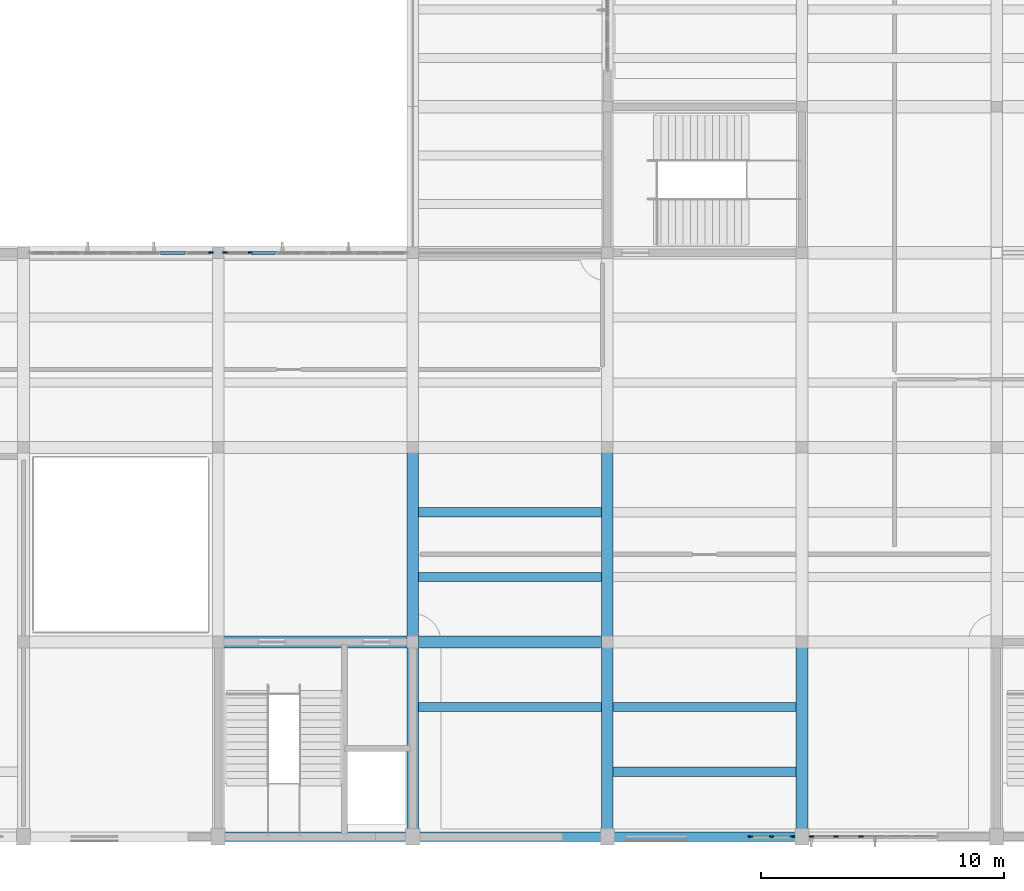
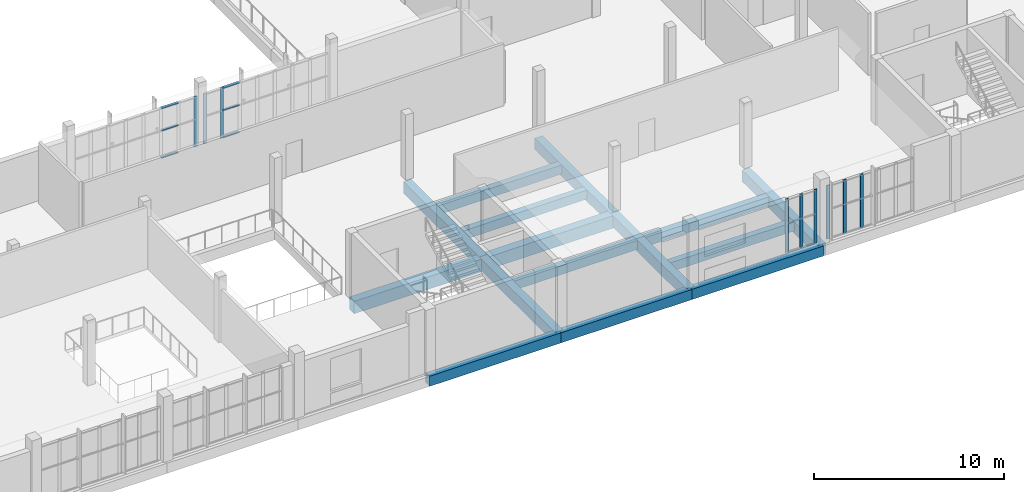
# One storey, part 17 of 70: 15 beams, 15 members, 4 elements without a shape of their own.
"""IFC4 building model written with IfcOpenShell, lengths in metres."""

from ifc_helpers import new_model, si_unit, direction, frame, origin, origin_2d, place, context, subcontext, project, spatial, rectangle, extrude, material, layer, layer_set, material_profile, profile_set, type_object, element, aggregate, save


model = new_model("IFC4")

# Units and contexts
model_context = context("Model", 3, precision=1e-05, world=origin(), true_north=direction((0.0, 1.0)))
body_context = subcontext(model_context, "Body", "Model", "MODEL_VIEW")
ifc_project = project(units=[si_unit("LENGTHUNIT", "METRE"), si_unit("AREAUNIT", "SQUARE_METRE"), si_unit("VOLUMEUNIT", "CUBIC_METRE"), si_unit("PLANEANGLEUNIT", "RADIAN"), si_unit("MASSUNIT", "GRAM", prefix="KILO")], contexts=[model_context])

# Site, building, storey
site_placement = place(None, origin())
site = spatial("IfcSite", under=ifc_project, at=site_placement, CompositionType="ELEMENT")
building_placement = place(site_placement, origin())
building = spatial("IfcBuilding", under=site, at=building_placement, Name="Solvane Community Centre", CompositionType="ELEMENT")
storey_placement = place(building_placement, frame((0.0, 0.0, 9.60009765625)))
storey = spatial("IfcBuildingStorey", under=building, at=storey_placement, Name="L02", CompositionType="ELEMENT", Elevation=9.60009765625)

# Curtain wall, members
ifc_material_1 = material(Name="Anodised bronze aluminium AW-6063 T6", Category="aluminium")
ifc_layer_1 = layer(ifc_material_1, 0.18994140625)
ifc_layer_set_1 = layer_set([ifc_layer_1], Name="Anodised bronze aluminium AW-6063 T6")
curtain_wall_type_1 = type_object("IfcCurtainWallType", Name="Boulevard Bronze Vision Curtain Wall [52x34dm]", PredefinedType="NOTDEFINED", material=ifc_layer_set_1)
curtain_wall_1_placement = place(storey_placement, origin())
curtain_wall_1 = element("IfcCurtainWall", 1, at=curtain_wall_1_placement, inside=storey, type_object=curtain_wall_type_1, Name="Curtain Wall CW-L02-1295_60-187", PredefinedType="NOTDEFINED")
ifc_material_profile_1 = material_profile(ifc_material_1, rectangle(XDim=0.06005859375, YDim=0.18994140625, at=origin_2d()), Name="CW-M 60x190")
ifc_profile_set_1 = profile_set([ifc_material_profile_1], Name="Anodised bronze aluminium AW-6063 T6")
member_type_1 = type_object("IfcMemberType", Name="Boulevard Mullion 60x190", PredefinedType="MULLION", material=ifc_profile_set_1)
member_1_placement = place(storey_placement, frame((126.428466796875, 6.0, 0.0), z_axis=(0.0, 0.0, 1.0), x_axis=(0.0, -1.0, 0.0)))
member_1 = element("IfcMember", 2, at=member_1_placement, type_object=member_type_1, Name="CW02-52x34 mullion 4", PredefinedType="MULLION", context=body_context, shape_type="SweptSolid", body=[
    extrude(rectangle(XDim=0.06005859375, YDim=0.18994140625, at=origin_2d()), origin(), (0.0, 0.0, 1.0), 3.44482421875),
])
member_2_placement = place(storey_placement, frame((125.3916015625, 6.0, 0.0), z_axis=(0.0, 0.0, 1.0), x_axis=(0.0, -1.0, 0.0)))
member_2 = element("IfcMember", 3, at=member_2_placement, type_object=member_type_1, Name="CW02-52x34 mullion 5", PredefinedType="MULLION", context=body_context, shape_type="SweptSolid", body=[
    extrude(rectangle(XDim=0.06005859375, YDim=0.18994140625, at=origin_2d()), origin(), (0.0, 0.0, 1.0), 3.44482421875),
])
member_3_placement = place(storey_placement, frame((124.385009765625, 6.0, 0.0), z_axis=(0.0, 0.0, 1.0), x_axis=(0.0, -1.0, 0.0)))
member_3 = element("IfcMember", 4, at=member_3_placement, type_object=member_type_1, Name="CW02-52x34 mullion 6", PredefinedType="MULLION", context=body_context, shape_type="SweptSolid", body=[
    extrude(rectangle(XDim=0.06005859375, YDim=0.18994140625, at=origin_2d()), origin(), (0.0, 0.0, 1.0), 3.44482421875),
])
aggregate(curtain_wall_1, [member_1, member_2, member_3])

ifc_layer_2 = layer(ifc_material_1, 0.18994140625)
ifc_layer_set_2 = layer_set([ifc_layer_2], Name="Anodised bronze aluminium AW-6063 T6")
curtain_wall_type_2 = type_object("IfcCurtainWallType", Name="Boulevard Bronze Vision Curtain Wall [18x34dm]", PredefinedType="NOTDEFINED", material=ifc_layer_set_2)
curtain_wall_2_placement = place(storey_placement, origin())
curtain_wall_2 = element("IfcCurtainWall", 5, at=curtain_wall_2_placement, inside=storey, type_object=curtain_wall_type_2, Name="Curtain Wall CW-L02-1236_60-188", PredefinedType="NOTDEFINED")
member_4_placement = place(storey_placement, frame((123.614990234375, 6.0, 0.0), z_axis=(0.0, 0.0, 1.0), x_axis=(0.0, -1.0, 0.0)))
member_4 = element("IfcMember", 6, at=member_4_placement, type_object=member_type_1, Name="CW02-18x34 mullion 1", PredefinedType="MULLION", context=body_context, shape_type="SweptSolid", body=[
    extrude(rectangle(XDim=0.06005859375, YDim=0.18994140625, at=origin_2d()), origin(), (0.0, 0.0, 1.0), 3.44482421875),
])
member_5_placement = place(storey_placement, frame((122.74560546875, 6.0, 0.0), z_axis=(0.0, 0.0, 1.0), x_axis=(0.0, -1.0, 0.0)))
member_5 = element("IfcMember", 7, at=member_5_placement, type_object=member_type_1, Name="CW02-18x34 mullion 2", PredefinedType="MULLION", context=body_context, shape_type="SweptSolid", body=[
    extrude(rectangle(XDim=0.06005859375, YDim=0.18994140625, at=origin_2d()), origin(), (0.0, 0.0, 1.0), 3.44482421875),
])
member_6_placement = place(storey_placement, frame((121.876220703125, 6.0, 0.0), z_axis=(0.0, 0.0, 1.0), x_axis=(0.0, -1.0, 0.0)))
member_6 = element("IfcMember", 8, at=member_6_placement, type_object=member_type_1, Name="CW02-18x34 mullion 3", PredefinedType="MULLION", context=body_context, shape_type="SweptSolid", body=[
    extrude(rectangle(XDim=0.06005859375, YDim=0.18994140625, at=origin_2d()), origin(), (0.0, 0.0, 1.0), 3.44482421875),
])
aggregate(curtain_wall_2, [member_4, member_5, member_6])

# Curtain wall, member
ifc_layer_3 = layer(ifc_material_1, 0.18994140625)
ifc_layer_set_3 = layer_set([ifc_layer_3], Name="Anodised bronze aluminium AW-6063 T6")
curtain_wall_type_3 = type_object("IfcCurtainWallType", Name="Boulevard Bronze Vision Curtain Wall [75x32dm]", PredefinedType="NOTDEFINED", material=ifc_layer_set_3)
curtain_wall_3_placement = place(storey_placement, origin())
curtain_wall_3 = element("IfcCurtainWall", 9, at=curtain_wall_3_placement, inside=storey, type_object=curtain_wall_type_3, Name="Curtain Wall CW-L02-923_300-194", PredefinedType="NOTDEFINED")
member_7_placement = place(storey_placement, frame((99.715087890625, 30.0, 0.0), z_axis=(0.0, 0.0, 1.0), x_axis=(0.0, 1.0, 0.0)))
member_7 = element("IfcMember", 10, at=member_7_placement, type_object=member_type_1, Name="CW02-75x32 mullion 8", PredefinedType="MULLION", context=body_context, shape_type="SweptSolid", body=[
    extrude(rectangle(XDim=0.06005859375, YDim=0.18994140625, at=origin_2d()), origin(), (0.0, 0.0, 1.0), 3.244873046875),
])

# Curtain wall, members
curtain_wall_4_placement = place(storey_placement, origin())
curtain_wall_4 = element("IfcCurtainWall", 11, at=curtain_wall_4_placement, inside=storey, type_object=curtain_wall_type_3, Name="Curtain Wall CW-L02-1003_300-195", PredefinedType="NOTDEFINED")
member_8_placement = place(storey_placement, frame((100.284912109375, 30.0, 0.0), z_axis=(0.0, 0.0, 1.0), x_axis=(0.0, 1.0, 0.0)))
member_8 = element("IfcMember", 12, at=member_8_placement, type_object=member_type_1, Name="CW02-75x32 mullion 1", PredefinedType="MULLION", context=body_context, shape_type="SweptSolid", body=[
    extrude(rectangle(XDim=0.06005859375, YDim=0.18994140625, at=origin_2d()), origin(), (0.0, 0.0, 1.0), 3.244873046875),
])
member_9_placement = place(storey_placement, frame((101.324951171875, 30.0, 0.0), z_axis=(0.0, 0.0, 1.0), x_axis=(0.0, 1.0, 0.0)))
member_9 = element("IfcMember", 13, at=member_9_placement, type_object=member_type_1, Name="CW02-75x32 mullion 2", PredefinedType="MULLION", context=body_context, shape_type="SweptSolid", body=[
    extrude(rectangle(XDim=0.06005859375, YDim=0.18994140625, at=origin_2d()), origin(), (0.0, 0.0, 1.0), 3.244873046875),
])

# Member
ifc_material_profile_2 = material_profile(ifc_material_1, rectangle(XDim=0.14990234375, YDim=0.06005859375, at=origin_2d()), Name="CW-T 60x150")
ifc_profile_set_2 = profile_set([ifc_material_profile_2], Name="Anodised bronze aluminium AW-6063 T6")
member_type_2 = type_object("IfcMemberType", Name="Boulevard Transom 60x150", PredefinedType="USERDEFINED", material=ifc_profile_set_2)
member_10_placement = place(storey_placement, frame((97.635009765625, 30.0, 0.02978515625), z_axis=(1.0, 0.0, 0.0), x_axis=(0.0, 1.0, 0.0)))
member_10 = element("IfcMember", 14, at=member_10_placement, type_object=member_type_2, Name="CW02-75x32 transom 6.1", ObjectType="TRANSOM", PredefinedType="USERDEFINED", context=body_context, shape_type="SweptSolid", body=[
    extrude(rectangle(XDim=0.14990234375, YDim=0.06005859375, at=origin_2d()), origin(), (0.0, 0.0, 1.0), 1.010009765625),
])

member_11_placement = place(storey_placement, frame((97.635009765625, 30.0, 1.784912109375), z_axis=(1.0, 0.0, 0.0), x_axis=(0.0, 1.0, 0.0)))
member_11 = element("IfcMember", 15, at=member_11_placement, type_object=member_type_2, Name="CW02-75x32 transom 6.2", ObjectType="TRANSOM", PredefinedType="USERDEFINED", context=body_context, shape_type="SweptSolid", body=[
    extrude(rectangle(XDim=0.14990234375, YDim=0.06005859375, at=origin_2d()), origin(), (0.0, 0.0, 1.0), 1.010009765625),
])

member_12_placement = place(storey_placement, frame((97.635009765625, 30.0, 3.21484375), z_axis=(1.0, 0.0, 0.0), x_axis=(0.0, 1.0, 0.0)))
member_12 = element("IfcMember", 16, at=member_12_placement, type_object=member_type_2, Name="CW02-75x32 transom 6.3", ObjectType="TRANSOM", PredefinedType="USERDEFINED", context=body_context, shape_type="SweptSolid", body=[
    extrude(rectangle(XDim=0.14990234375, YDim=0.06005859375, at=origin_2d()), origin(), (0.0, 0.0, 1.0), 1.010009765625),
])

aggregate(curtain_wall_3, [member_7, member_10, member_11, member_12])

member_13_placement = place(storey_placement, frame((101.35498046875, 30.0, 0.02978515625), z_axis=(1.0, 0.0, 0.0), x_axis=(0.0, 1.0, 0.0)))
member_13 = element("IfcMember", 17, at=member_13_placement, type_object=member_type_2, Name="CW02-75x32 transom 2.1", ObjectType="TRANSOM", PredefinedType="USERDEFINED", context=body_context, shape_type="SweptSolid", body=[
    extrude(rectangle(XDim=0.14990234375, YDim=0.06005859375, at=origin_2d()), origin(), (0.0, 0.0, 1.0), 1.010009765625),
])

member_14_placement = place(storey_placement, frame((101.35498046875, 30.0, 1.784912109375), z_axis=(1.0, 0.0, 0.0), x_axis=(0.0, 1.0, 0.0)))
member_14 = element("IfcMember", 18, at=member_14_placement, type_object=member_type_2, Name="CW02-75x32 transom 2.2", ObjectType="TRANSOM", PredefinedType="USERDEFINED", context=body_context, shape_type="SweptSolid", body=[
    extrude(rectangle(XDim=0.14990234375, YDim=0.06005859375, at=origin_2d()), origin(), (0.0, 0.0, 1.0), 1.010009765625),
])

member_15_placement = place(storey_placement, frame((101.35498046875, 30.0, 3.21484375), z_axis=(1.0, 0.0, 0.0), x_axis=(0.0, 1.0, 0.0)))
member_15 = element("IfcMember", 19, at=member_15_placement, type_object=member_type_2, Name="CW02-75x32 transom 2.3", ObjectType="TRANSOM", PredefinedType="USERDEFINED", context=body_context, shape_type="SweptSolid", body=[
    extrude(rectangle(XDim=0.14990234375, YDim=0.06005859375, at=origin_2d()), origin(), (0.0, 0.0, 1.0), 1.010009765625),
])

aggregate(curtain_wall_4, [member_8, member_9, member_13, member_14, member_15])

# Beams
ifc_material_2 = material(Name="Concrete C35/45", Category="concrete")
ifc_material_profile_3 = material_profile(ifc_material_2, rectangle(XDim=0.47998046875, YDim=0.739990234375, at=origin_2d()), Name="RC 480x740")
ifc_profile_set_3 = profile_set([ifc_material_profile_3], Name="Concrete C35/45")
beam_type_1 = type_object("IfcBeamType", Name="RC Bay Beam 480x740", PredefinedType="BEAM", material=ifc_profile_set_3)
for number, where, z_axis, x_axis, name in (
    (20, (108.0, 6.0, -0.590087890625), (0.0, 1.0, 0.0), (-1.0, 0.0, 0.0), "Beam BM-L02-1080_60-1080_140"),
    (21, (108.0, 14.0, -0.590087890625), (0.0, 1.0, 0.0), (-1.0, 0.0, 0.0), "Beam BM-L02-1080_140-1080_220"),
    (22, (116.0, 6.0, -0.590087890625), (0.0, 1.0, 0.0), (-1.0, 0.0, 0.0), "Beam BM-L02-1160_60-1160_140"),
    (23, (116.0, 14.0, -0.590087890625), (0.0, 1.0, 0.0), (-1.0, 0.0, 0.0), "Beam BM-L02-1160_140-1160_220"),
    (24, (124.0, 6.0, -0.590087890625), (0.0, 1.0, 0.0), (-1.0, 0.0, 0.0), "Beam BM-L02-1240_60-1240_140"),
):
    element("IfcBeam", number, at=place(storey_placement, frame(where, z_axis=z_axis, x_axis=x_axis)), inside=storey, type_object=beam_type_1, Name=name, PredefinedType="BEAM", context=body_context, shape_type="SweptSolid", body=[
        extrude(rectangle(XDim=0.47998046875, YDim=0.739990234375, at=origin_2d()), origin(), (0.0, 0.0, 1.0), 8.0),
    ])
ifc_material_profile_4 = material_profile(ifc_material_2, rectangle(XDim=0.5, YDim=0.800048828125, at=origin_2d()), Name="RC 500x800")
ifc_profile_set_4 = profile_set([ifc_material_profile_4], Name="Concrete C35/45")
beam_type_2 = type_object("IfcBeamType", Name="RC Primary Girder 500x800", PredefinedType="USERDEFINED", material=ifc_profile_set_4)
for number, where, z_axis, x_axis, name in (
    (25, (100.0, 14.0, -0.6201171875), (1.0, 0.0, 0.0), (0.0, 1.0, 0.0), "Beam BM-L02-1000_140-1080_140"),
    (26, (108.0, 14.0, -0.6201171875), (1.0, 0.0, 0.0), (0.0, 1.0, 0.0), "Beam BM-L02-1080_140-1160_140"),
):
    element("IfcBeam", number, at=place(storey_placement, frame(where, z_axis=z_axis, x_axis=x_axis)), inside=storey, type_object=beam_type_2, Name=name, ObjectType="GIRDER", PredefinedType="USERDEFINED", context=body_context, shape_type="SweptSolid", body=[
        extrude(rectangle(XDim=0.5, YDim=0.800048828125, at=origin_2d()), origin(), (0.0, 0.0, 1.0), 8.0),
    ])
ifc_material_profile_5 = material_profile(ifc_material_2, rectangle(XDim=0.3798828125, YDim=0.580078125, at=origin_2d()), Name="RC 380x580")
ifc_profile_set_5 = profile_set([ifc_material_profile_5], Name="Concrete C35/45")
beam_type_3 = type_object("IfcBeamType", Name="RC Short Joist 380x580", PredefinedType="JOIST", material=ifc_profile_set_5)
for number, where, z_axis, x_axis, name in (
    (27, (108.239990234375, 11.333251953125, -0.510009765625), (1.0, 0.0, 0.0), (0.0, 1.0, 0.0), "Beam BM-L02-1082_113-1158_113"),
    (28, (108.239990234375, 16.666748046875, -0.510009765625), (1.0, 0.0, 0.0), (0.0, 1.0, 0.0), "Beam BM-L02-1082_167-1158_167"),
    (29, (108.239990234375, 19.333251953125, -0.510009765625), (1.0, 0.0, 0.0), (0.0, 1.0, 0.0), "Beam BM-L02-1082_193-1158_193"),
    (30, (116.239990234375, 8.666748046875, -0.510009765625), (1.0, 0.0, 0.0), (0.0, 1.0, 0.0), "Beam BM-L02-1162_87-1238_87"),
    (31, (116.239990234375, 11.333251953125, -0.510009765625), (1.0, 0.0, 0.0), (0.0, 1.0, 0.0), "Beam BM-L02-1162_113-1238_113"),
):
    element("IfcBeam", number, at=place(storey_placement, frame(where, z_axis=z_axis, x_axis=x_axis)), inside=storey, type_object=beam_type_3, Name=name, PredefinedType="JOIST", context=body_context, shape_type="SweptSolid", body=[
        extrude(rectangle(XDim=0.3798828125, YDim=0.580078125, at=origin_2d()), origin(), (0.0, 0.0, 1.0), 7.52001953125),
    ])
ifc_material_profile_6 = material_profile(ifc_material_2, rectangle(XDim=0.39990234375, YDim=0.64990234375, at=origin_2d()), Name="RC 400x650")
ifc_profile_set_6 = profile_set([ifc_material_profile_6], Name="Concrete C35/45")
beam_type_4 = type_object("IfcBeamType", Name="RC Spandrel Edge Beam 400x650", PredefinedType="SPANDREL", material=ifc_profile_set_6)
for number, where, z_axis, x_axis, name in (
    (32, (100.0, 6.0, -0.545166015625), (1.0, 0.0, 0.0), (0.0, 1.0, 0.0), "Beam BM-L02-1000_60-1080_60"),
    (33, (108.0, 6.0, -0.545166015625), (1.0, 0.0, 0.0), (0.0, 1.0, 0.0), "Beam BM-L02-1080_60-1160_60"),
    (34, (116.0, 6.0, -0.545166015625), (1.0, 0.0, 0.0), (0.0, 1.0, 0.0), "Beam BM-L02-1160_60-1240_60"),
):
    element("IfcBeam", number, at=place(storey_placement, frame(where, z_axis=z_axis, x_axis=x_axis)), inside=storey, type_object=beam_type_4, Name=name, PredefinedType="SPANDREL", context=body_context, shape_type="SweptSolid", body=[
        extrude(rectangle(XDim=0.39990234375, YDim=0.64990234375, at=origin_2d()), origin(), (0.0, 0.0, 1.0), 8.0),
    ])

save(model, "model.ifc")
